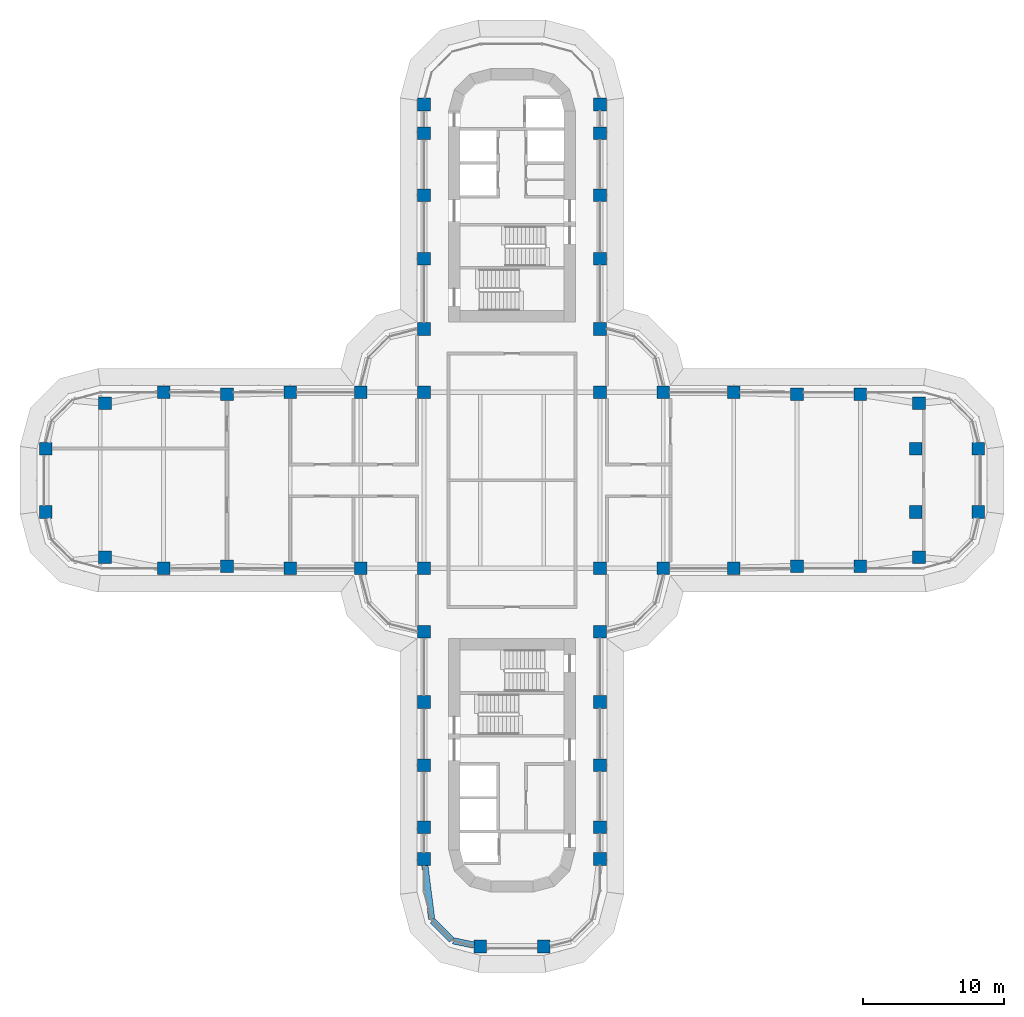
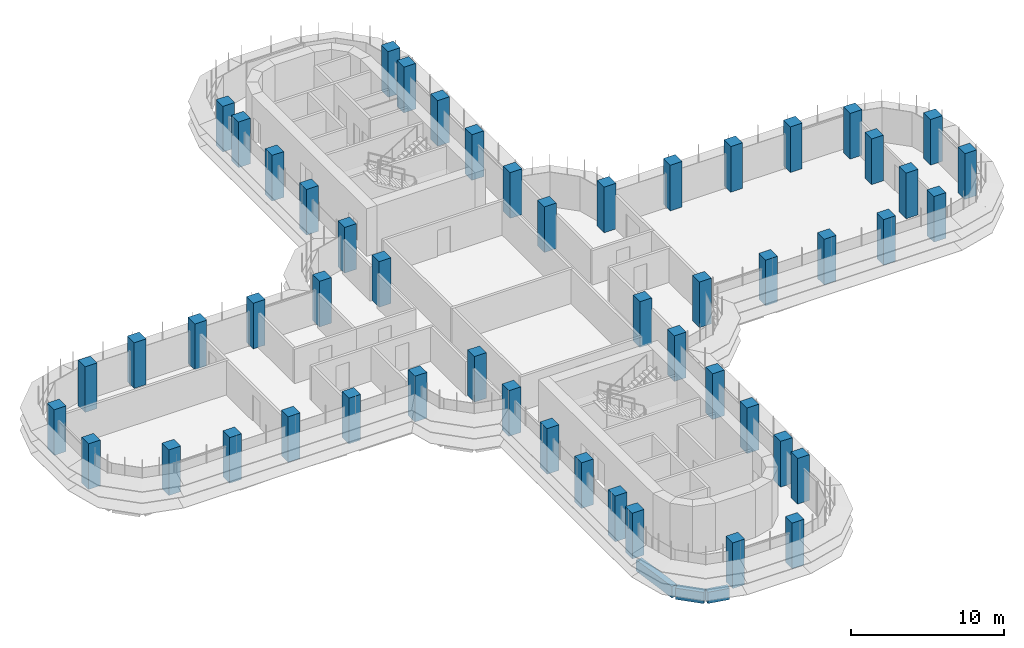
# One storey, part 1 of 21: 52 columns, 3 beams.
"""IFC4 building model written with IfcOpenShell, lengths in metres."""

from ifc_helpers import new_model, si_unit, direction, frame, origin, origin_2d, place, context, subcontext, project, spatial, rectangle, extrude, material, material_profile, profile_set, type_object, element, save


model = new_model("IFC4")

# Units and contexts
model_context = context("Model", 3, precision=1e-05, world=origin(), true_north=direction((0.0, 1.0)))
body_context = subcontext(model_context, "Body", "Model", "MODEL_VIEW")
ifc_project = project(units=[si_unit("LENGTHUNIT", "METRE"), si_unit("AREAUNIT", "SQUARE_METRE"), si_unit("VOLUMEUNIT", "CUBIC_METRE"), si_unit("PLANEANGLEUNIT", "RADIAN"), si_unit("MASSUNIT", "GRAM", prefix="KILO")], contexts=[model_context])

# Site, building, storey
site_placement = place(None, origin())
site = spatial("IfcSite", under=ifc_project, at=site_placement, CompositionType="ELEMENT")
building_placement = place(site_placement, origin())
building = spatial("IfcBuilding", under=site, at=building_placement, Name="Zarbagh Exchange Tower", CompositionType="ELEMENT")
storey_placement = place(building_placement, frame((0.0, 0.0, 120.800048828125)))
storey = spatial("IfcBuildingStorey", under=building, at=storey_placement, Name="L28", CompositionType="ELEMENT", Elevation=120.800048828125)

# Columns
ifc_material = material(Name="Concrete C60/75", Category="concrete")
ifc_material_profile_1 = material_profile(ifc_material, rectangle(XDim=0.89990234375, YDim=0.89990234375, at=origin_2d()), Name="RC column 900 x 900 C60/75")
ifc_profile_set_1 = profile_set([ifc_material_profile_1], Name="Concrete C60/75")
column_type = type_object("IfcColumnType", Name="RC column 900 x 900 C60/75", PredefinedType="COLUMN", material=ifc_profile_set_1)
for number, where, z_axis, x_axis, name in (
    (1, (-33.110107421875, -2.25, 0.0), (0.0, 0.0, 1.0), (1.0, 0.0, 0.0), "C3 10/S"),
    (2, (-33.110107421875, 2.25, 0.0), (0.0, 0.0, 1.0), (1.0, 0.0, 0.0), "C3 10/T"),
    (3, (-28.907958984375, -5.47509765625, 0.0), (0.0, 0.0, 1.0), (1.0, 0.0, 0.0), "C3 11/R"),
    (4, (-28.907958984375, 5.47509765625, 0.0), (0.0, 0.0, 1.0), (1.0, 0.0, 0.0), "C3 11/U"),
    (5, (-24.75, -6.25, 0.0), (0.0, 0.0, 1.0), (1.0, 0.0, 0.0), "C3 12/R"),
    (6, (-24.75, 6.25, 0.0), (0.0, 0.0, 1.0), (1.0, 0.0, 0.0), "C3 12/U"),
    (7, (-20.25, -6.110107421875, 0.0), (0.0, 0.0, 1.0), (1.0, 0.0, 0.0), "C3 13/R"),
    (8, (-20.25, 6.110107421875, 0.0), (0.0, 0.0, 1.0), (1.0, 0.0, 0.0), "C3 13/U"),
    (9, (-15.75, -6.25, 0.0), (0.0, 0.0, 1.0), (1.0, 0.0, 0.0), "C3 14/R"),
    (10, (-15.75, 6.25, 0.0), (0.0, 0.0, 1.0), (1.0, 0.0, 0.0), "C3 14/U"),
    (11, (-10.75, -6.25, 0.0), (0.0, 0.0, 1.0), (1.0, 0.0, 0.0), "C3 15/R"),
    (12, (-10.75, 6.25, 0.0), (0.0, 0.0, 1.0), (1.0, 0.0, 0.0), "C3 15/U"),
    (13, (-6.25, -26.89990234375, 0.0), (0.0, 0.0, 1.0), (1.0, 0.0, 0.0), "C3 16/L"),
    (14, (-6.25, -24.64990234375, 0.0), (0.0, 0.0, 1.0), (1.0, 0.0, 0.0), "C3 16/M"),
    (15, (-6.25, -20.25, 0.0), (0.0, 0.0, 1.0), (1.0, 0.0, 0.0), "C3 16/N"),
    (16, (-6.25, -15.75, 0.0), (0.0, 0.0, 1.0), (1.0, 0.0, 0.0), "C3 16/P"),
    (17, (-6.25, -10.75, 0.0), (0.0, 0.0, 1.0), (1.0, 0.0, 0.0), "C3 16/Q"),
    (18, (-6.25, -6.25, 0.0), (0.0, 0.0, 1.0), (1.0, 0.0, 0.0), "C3 16/R"),
    (19, (-6.25, 6.25, 0.0), (0.0, 0.0, 1.0), (1.0, 0.0, 0.0), "C3 16/U"),
    (20, (-6.25, 10.75, 0.0), (0.0, 0.0, 1.0), (1.0, 0.0, 0.0), "C3 16/V"),
    (21, (-6.25, 15.75, 0.0), (0.0, 0.0, 1.0), (1.0, 0.0, 0.0), "C3 16/W"),
    (22, (-6.25, 20.25, 0.0), (0.0, 0.0, 1.0), (1.0, 0.0, 0.0), "C3 16/X"),
    (23, (-6.25, 24.64990234375, 0.0), (0.0, 0.0, 1.0), (1.0, 0.0, 0.0), "C3 16/Y"),
    (24, (-6.25, 26.699951171875, 0.0), (0.0, 0.0, 1.0), (1.0, 0.0, 0.0), "C3 16/Z"),
    (25, (-2.25, -33.110107421875, 0.0), (0.0, 0.0, 1.0), (1.0, 0.0, 0.0), "C3 17/K"),
    (26, (2.25, -33.110107421875, 0.0), (0.0, 0.0, 1.0), (1.0, 0.0, 0.0), "C3 18/K"),
    (27, (6.25, -26.89990234375, 0.0), (0.0, 0.0, 1.0), (1.0, 0.0, 0.0), "C3 19/L"),
    (28, (6.25, -24.64990234375, 0.0), (0.0, 0.0, 1.0), (1.0, 0.0, 0.0), "C3 19/M"),
    (29, (6.25, -20.25, 0.0), (0.0, 0.0, 1.0), (1.0, 0.0, 0.0), "C3 19/N"),
    (30, (6.25, -15.75, 0.0), (0.0, 0.0, 1.0), (1.0, 0.0, 0.0), "C3 19/P"),
    (31, (6.25, -10.75, 0.0), (0.0, 0.0, 1.0), (1.0, 0.0, 0.0), "C3 19/Q"),
    (32, (6.25, -6.25, 0.0), (0.0, 0.0, 1.0), (1.0, 0.0, 0.0), "C3 19/R"),
    (33, (6.25, 6.25, 0.0), (0.0, 0.0, 1.0), (1.0, 0.0, 0.0), "C3 19/U"),
    (34, (6.25, 10.75, 0.0), (0.0, 0.0, 1.0), (1.0, 0.0, 0.0), "C3 19/V"),
    (35, (6.25, 15.75, 0.0), (0.0, 0.0, 1.0), (1.0, 0.0, 0.0), "C3 19/W"),
    (36, (6.25, 20.25, 0.0), (0.0, 0.0, 1.0), (1.0, 0.0, 0.0), "C3 19/X"),
    (37, (6.25, 24.64990234375, 0.0), (0.0, 0.0, 1.0), (1.0, 0.0, 0.0), "C3 19/Y"),
    (38, (6.25, 26.699951171875, 0.0), (0.0, 0.0, 1.0), (1.0, 0.0, 0.0), "C3 19/Z"),
    (39, (10.75, -6.25, 0.0), (0.0, 0.0, 1.0), (1.0, 0.0, 0.0), "C3 20/R"),
    (40, (10.75, 6.25, 0.0), (0.0, 0.0, 1.0), (1.0, 0.0, 0.0), "C3 20/U"),
    (41, (15.75, -6.25, 0.0), (0.0, 0.0, 1.0), (1.0, 0.0, 0.0), "C3 21/R"),
    (42, (15.75, 6.25, 0.0), (0.0, 0.0, 1.0), (1.0, 0.0, 0.0), "C3 21/U"),
    (43, (20.25, -6.110107421875, 0.0), (0.0, 0.0, 1.0), (1.0, 0.0, 0.0), "C3 22/R"),
    (44, (20.25, 6.110107421875, 0.0), (0.0, 0.0, 1.0), (1.0, 0.0, 0.0), "C3 22/U"),
    (45, (24.75, -6.110107421875, 0.0), (0.0, 0.0, 1.0), (1.0, 0.0, 0.0), "C3 23/R"),
    (46, (24.75, 6.110107421875, 0.0), (0.0, 0.0, 1.0), (1.0, 0.0, 0.0), "C3 23/U"),
    (47, (28.907958984375, -5.47509765625, 0.0), (0.0, 0.0, 1.0), (1.0, 0.0, 0.0), "C3 24/R"),
    (48, (28.669921875, -2.25, 0.0), (0.0, 0.0, 1.0), (1.0, 0.0, 0.0), "C3 24/S"),
    (49, (28.669921875, 2.25, 0.0), (0.0, 0.0, 1.0), (1.0, 0.0, 0.0), "C3 24/T"),
    (50, (28.907958984375, 5.47509765625, 0.0), (0.0, 0.0, 1.0), (1.0, 0.0, 0.0), "C3 24/U"),
    (51, (33.110107421875, -2.25, 0.0), (0.0, 0.0, 1.0), (1.0, 0.0, 0.0), "C3 25/S"),
    (52, (33.110107421875, 2.25, 0.0), (0.0, 0.0, 1.0), (1.0, 0.0, 0.0), "C3 25/T"),
):
    element("IfcColumn", number, at=place(storey_placement, frame(where, z_axis=z_axis, x_axis=x_axis)), inside=storey, type_object=column_type, Name=name, PredefinedType="COLUMN", context=body_context, shape_type="SweptSolid", body=[
        extrude(rectangle(XDim=0.89990234375, YDim=0.89990234375, at=origin_2d()), origin(), (0.0, 0.0, 1.0), 3.64990234375),
    ])

# Beams
ifc_material_profile_2 = material_profile(ifc_material, rectangle(XDim=0.449951171875, YDim=0.89990234375, at=origin_2d()), Name="RC spandrel beam 450 x 900 C60/75")
ifc_profile_set_2 = profile_set([ifc_material_profile_2], Name="Concrete C60/75")
beam_type = type_object("IfcBeamType", Name="RC spandrel beam 450 x 900 C60/75", PredefinedType="SPANDREL", material=ifc_profile_set_2)
beam_1_placement = place(storey_placement, frame((-2.690673828125, -33.01904296875, -0.60009765625), z_axis=(-0.979328675816, 0.202275417995, 0.0), x_axis=(-0.202275417995, -0.979328675816, 0.0)))
element("IfcBeam", 53, at=beam_1_placement, inside=storey, type_object=beam_type, Name="RC spandrel beam", PredefinedType="SPANDREL", context=body_context, shape_type="SweptSolid", body=[
    extrude(rectangle(XDim=0.449951171875, YDim=0.89990234375, at=origin_2d()), origin(), (0.0, 0.0, 1.0), 1.515869140625),
])
beam_2_placement = place(storey_placement, frame((-4.288818359375, -32.651123046875, -0.60009765625), z_axis=(-0.707106781187, 0.707106781187, 0.0), x_axis=(-0.707106781187, -0.707106781187, 0.0)))
element("IfcBeam", 54, at=beam_2_placement, inside=storey, type_object=beam_type, Name="RC spandrel beam", PredefinedType="SPANDREL", context=body_context, shape_type="SweptSolid", body=[
    extrude(rectangle(XDim=0.449951171875, YDim=0.89990234375, at=origin_2d()), origin(), (0.0, 0.0, 1.0), 1.9169921875),
])
beam_3_placement = place(storey_placement, frame((-5.70849609375, -31.164794921875, -0.60009765625), z_axis=(-0.12597055537, 0.992033980859, 0.0), x_axis=(-0.992033980859, -0.12597055537, 0.0)))
element("IfcBeam", 55, at=beam_3_placement, inside=storey, type_object=beam_type, Name="RC spandrel beam", PredefinedType="SPANDREL", context=body_context, shape_type="SweptSolid", body=[
    extrude(rectangle(XDim=0.449951171875, YDim=0.89990234375, at=origin_2d()), origin(), (0.0, 0.0, 1.0), 3.84912109375),
])

save(model, "model.ifc")
